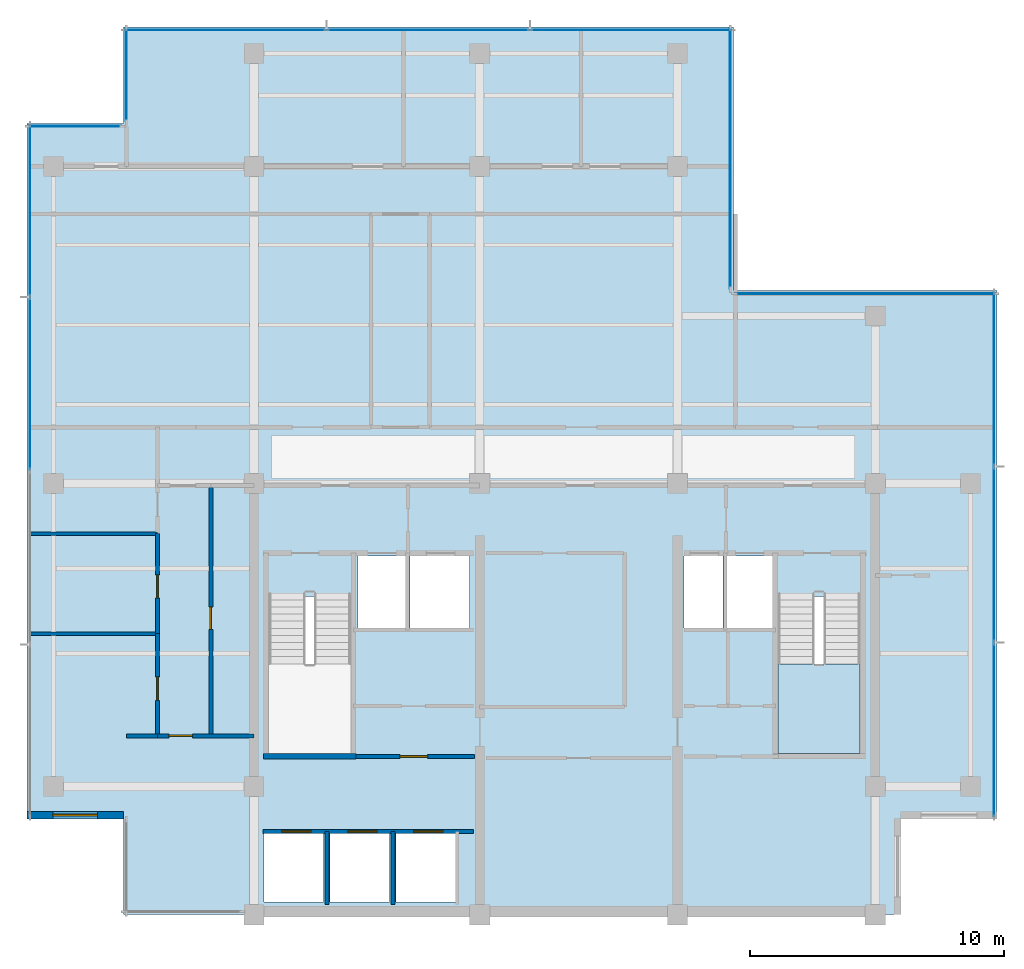
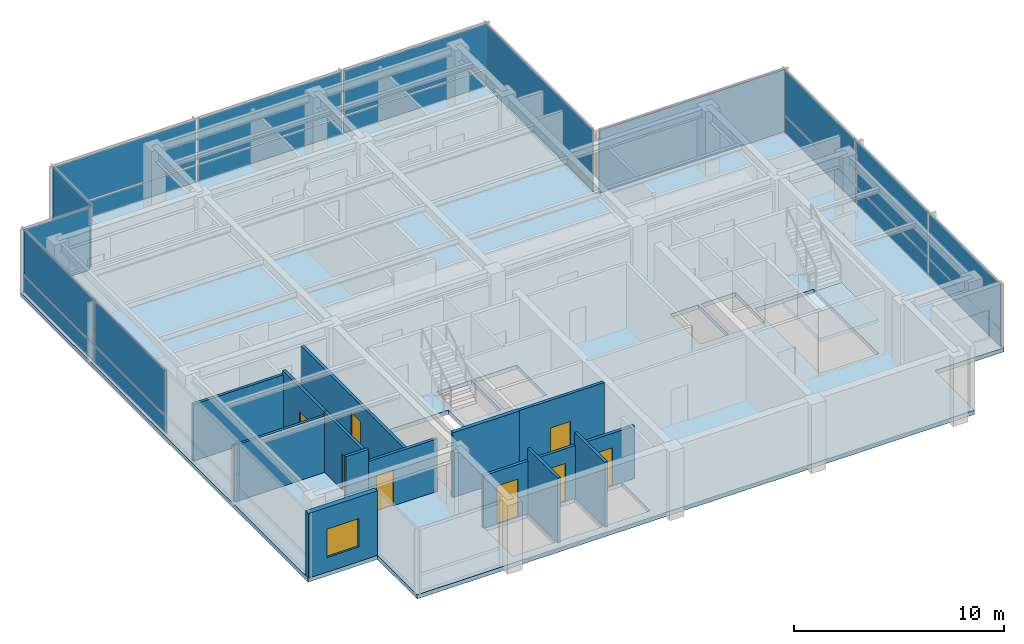
# One storey, part 5 of 11: 20 plates, 13 walls, 8 doors, 2 slabs, 1 window, 9 openings, 8 elements without a shape of their own.
"""IFC4 building model written with IfcOpenShell, lengths in metres."""

import ifcopenshell
import ifcopenshell.guid

model = None  # the IFC model being written
_history = None  # IfcOwnerHistory: only IFC2X3 demands one
_inside = {}  # id of a spatial element -> (the spatial element, [elements in it])
_under = {}  # id of a project, library or spatial element -> (it, [spatial elements below it])
_declared = {}  # id of a project -> (the project, [libraries it declares])
_typed = {}  # id of a type object -> (the type object, [elements of that type])
_made_of = {}  # id of a material, layer set ... -> (it, [elements and type objects made of it])


def new_model(schema):
    """Start an empty IFC model of exactly this schema.

    Asked for "IFC4X3", IfcOpenShell would pick the latest addendum, in which some entities
    have other attributes; the version numbers below select the first issue.
    IFC2X3 requires an IfcOwnerHistory on every rooted entity: one is made here for all.
    """
    global model, _history
    if schema == "IFC4X3":
        model = ifcopenshell.file(schema_version=(4, 3, 0, 0))
    else:
        model = ifcopenshell.file(schema=schema)
    _inside.clear()
    _under.clear()
    _declared.clear()
    _typed.clear()
    _made_of.clear()
    _history = None
    if model.schema == "IFC2X3":
        org = make("IfcOrganization", Name="unknown")
        user = make(
            "IfcPersonAndOrganization",
            ThePerson=make("IfcPerson", FamilyName="unknown"),
            TheOrganization=org,
        )
        app = make(
            "IfcApplication",
            ApplicationDeveloper=org,
            Version="unknown",
            ApplicationFullName="unknown",
            ApplicationIdentifier="unknown",
        )
        _history = make(
            "IfcOwnerHistory",
            OwningUser=user,
            OwningApplication=app,
            ChangeAction="ADDED",
            CreationDate=0,
        )
    return model


def make(cls, **values):
    """One entity of the class cls with the attributes given. An attribute that is None is left unset."""
    return model.create_entity(
        cls, **{name: value for name, value in values.items() if value is not None}
    )


def rooted(cls, **values):
    """An entity with a GlobalId (a new one), such as an element, a storey or a relation."""
    return make(cls, GlobalId=ifcopenshell.guid.new(), OwnerHistory=_history, **values)


def si_unit(unit_type, name, prefix=None):
    """IfcSIUnit, for example si_unit("LENGTHUNIT", "METRE", prefix="MILLI")."""
    return make("IfcSIUnit", UnitType=unit_type, Prefix=prefix, Name=name)


def assignment(units):
    """IfcUnitAssignment: the units of a project."""
    return None if units is None else make("IfcUnitAssignment", Units=units)


def point(xyz):
    """IfcCartesianPoint."""
    return None if xyz is None else make("IfcCartesianPoint", Coordinates=xyz)


def direction(xyz):
    """IfcDirection."""
    return None if xyz is None else make("IfcDirection", DirectionRatios=xyz)


def frame(location, z_axis=None, x_axis=None):
    """IfcAxis2Placement3D, a coordinate frame: its origin and axes. An axis left out is left unset."""
    return make(
        "IfcAxis2Placement3D",
        Location=point(location),
        Axis=direction(z_axis),
        RefDirection=direction(x_axis),
    )


def frame_2d(location, x_axis=None):
    """IfcAxis2Placement2D, a coordinate frame in the plane: its origin and x axis."""
    return make(
        "IfcAxis2Placement2D", Location=point(location), RefDirection=direction(x_axis)
    )


def origin():
    """The frame at (0, 0, 0) with its axes left unset."""
    return frame((0.0, 0.0, 0.0))


def origin_2d():
    """The frame at (0, 0) in the plane with its x axis left unset."""
    return frame_2d((0.0, 0.0))


def place(relative_to, where):
    """IfcLocalPlacement: puts the frame where relative to a parent placement (None: the world)."""
    return make(
        "IfcLocalPlacement", PlacementRelTo=relative_to, RelativePlacement=where
    )


def context(
    kind, dimensions, precision=None, world=None, true_north=None, identifier=None
):
    """IfcGeometricRepresentationContext, for example the 3D "Model" context."""
    return make(
        "IfcGeometricRepresentationContext",
        ContextIdentifier=identifier,
        ContextType=kind,
        CoordinateSpaceDimension=dimensions,
        Precision=precision,
        WorldCoordinateSystem=world,
        TrueNorth=true_north,
    )


def subcontext(parent, identifier, kind, view, scale=None):
    """IfcGeometricRepresentationSubContext, for example "Body" below "Model"."""
    return make(
        "IfcGeometricRepresentationSubContext",
        ContextIdentifier=identifier,
        ContextType=kind,
        ParentContext=parent,
        TargetScale=scale,
        TargetView=view,
    )


def project(units=None, contexts=None):
    """IfcProject with its units and contexts."""
    return rooted(
        "IfcProject",
        Name="project",
        RepresentationContexts=contexts,
        UnitsInContext=assignment(units),
    )


def spatial(cls, under=None, at=None, **own):
    """A site, building, storey or space (cls), placed at a placement, below another one or the project."""
    s = rooted(cls, ObjectPlacement=at, **own)
    if under is not None:
        _under.setdefault(under.id(), (under, []))[1].append(s)
    return s


def polyline(points):
    """IfcPolyline through the points."""
    return make("IfcPolyline", Points=[point(p) for p in points])


def profile(cls, at=None, kind="AREA", **sizes):
    """A parametric profile (cls). Its sizes go by their IFC names, for example OverallWidth=200.0."""
    return make(cls, ProfileType=kind, Position=at, **sizes)


def rectangle(**sizes):
    """IfcRectangleProfileDef."""
    return profile("IfcRectangleProfileDef", **sizes)


def outline(outer, holes=None, kind="AREA"):
    """IfcArbitraryClosedProfileDef: a profile drawn as a closed curve; with holes, ...WithVoids."""
    if holes is None:
        return make("IfcArbitraryClosedProfileDef", ProfileType=kind, OuterCurve=outer)
    return make(
        "IfcArbitraryProfileDefWithVoids",
        ProfileType=kind,
        OuterCurve=outer,
        InnerCurves=holes,
    )


def extrude(swept, where, along, depth):
    """IfcExtrudedAreaSolid: the profile swept, set in the frame where, extruded along a direction by depth."""
    return make(
        "IfcExtrudedAreaSolid",
        SweptArea=swept,
        Position=where,
        ExtrudedDirection=direction(along),
        Depth=depth,
    )


def shape(context_of_items, identifier, shape_type, items):
    """IfcShapeRepresentation: the items that make up one representation, for example the "Body"."""
    return make(
        "IfcShapeRepresentation",
        ContextOfItems=context_of_items,
        RepresentationIdentifier=identifier,
        RepresentationType=shape_type,
        Items=items,
    )


def material(Name=None, Category=None):
    """IfcMaterial."""
    return make("IfcMaterial", Name=Name, Category=Category)


def layer(
    of_material, thickness, ventilated=None, Name=None, Category=None, Priority=None
):
    """IfcMaterialLayer: one layer of a wall or slab, of a material (None: an air gap)."""
    return make(
        "IfcMaterialLayer",
        Material=of_material,
        LayerThickness=thickness,
        IsVentilated=ventilated,
        Name=Name,
        Category=Category,
        Priority=Priority,
    )


def layer_set(layers, Name=None):
    """IfcMaterialLayerSet."""
    return make("IfcMaterialLayerSet", MaterialLayers=layers, LayerSetName=Name)


def made_of(thing, what):
    """Note that an element or type object is made of a material, layer set ...; save() writes the relation."""
    if what is not None:
        _made_of.setdefault(what.id(), (what, []))[1].append(thing)
    return thing


def type_object(cls, material=None, **own):
    """A type object (cls), such as IfcWallType, which elements share."""
    return made_of(rooted(cls, **own), material)


def element(
    cls,
    number,
    at=None,
    inside=None,
    cuts=None,
    type_object=None,
    material=None,
    context=None,
    identifier="Body",
    shape_type=None,
    held_by="IfcProductDefinitionShape",
    body=None,
    shapes=None,
    **own,
):
    """One element of the class cls, such as IfcWall. Its Tag is "e" and its number.

    at: its placement. inside: the storey or other place that contains it. cuts: it is an
    opening in that element (IfcRelVoidsElement). A single representation is given by context,
    identifier, shape_type and body (its items); several are given by shapes. held_by: the class
    of the entity that holds the representations. save() writes the other relations.
    """
    e = rooted(cls, Tag="e%d" % number, ObjectPlacement=at, **own)
    if body is not None:
        shapes = [shape(context, identifier, shape_type, body)]
    if shapes is not None:
        e.Representation = make(held_by, Representations=shapes)
    if inside is not None:
        _inside.setdefault(inside.id(), (inside, []))[1].append(e)
    if cuts is not None:
        rooted(
            "IfcRelVoidsElement", RelatingBuildingElement=cuts, RelatedOpeningElement=e
        )
    if type_object is not None:
        _typed.setdefault(type_object.id(), (type_object, []))[1].append(e)
    return made_of(e, material)


def fill(opening, filler):
    """IfcRelFillsElement: the door or window that sits in an opening."""
    return rooted(
        "IfcRelFillsElement",
        RelatingOpeningElement=opening,
        RelatedBuildingElement=filler,
    )


def aggregate(whole, parts):
    """IfcRelAggregates: a whole, such as a stair, and the parts it consists of."""
    return rooted("IfcRelAggregates", RelatingObject=whole, RelatedObjects=parts)


def save(model, path):
    """Write the relations noted so far, then the file.

    IfcRelAggregates (storeys below a building ...), IfcRelContainedInSpatialStructure (elements
    in a storey), IfcRelDefinesByType, IfcRelAssociatesMaterial and IfcRelDeclares: one each for
    every whole, place, type object, material and project.
    """
    for whole, parts in _under.values():
        aggregate(whole, parts)
    for where, things in _inside.values():
        rooted(
            "IfcRelContainedInSpatialStructure",
            RelatedElements=things,
            RelatingStructure=where,
        )
    for kind, things in _typed.values():
        rooted("IfcRelDefinesByType", RelatedObjects=things, RelatingType=kind)
    for what, things in _made_of.values():
        rooted("IfcRelAssociatesMaterial", RelatedObjects=things, RelatingMaterial=what)
    for by, libraries in _declared.values():
        rooted("IfcRelDeclares", RelatingContext=by, RelatedDefinitions=libraries)
    model.write(path)


model = new_model("IFC4")

# Units and contexts
model_context = context("Model", 3, precision=1e-05, world=origin(), true_north=direction((0.0, 1.0)))
body_context = subcontext(model_context, "Body", "Model", "MODEL_VIEW")
ifc_project = project(units=[si_unit("LENGTHUNIT", "METRE"), si_unit("AREAUNIT", "SQUARE_METRE"), si_unit("VOLUMEUNIT", "CUBIC_METRE"), si_unit("PLANEANGLEUNIT", "RADIAN"), si_unit("MASSUNIT", "GRAM", prefix="KILO")], contexts=[model_context])

# Site, building, storey
site_placement = place(None, origin())
site = spatial("IfcSite", under=ifc_project, at=site_placement, CompositionType="ELEMENT")
building_placement = place(site_placement, origin())
building = spatial("IfcBuilding", under=site, at=building_placement, Name="Qalmaran Belvedere Hotel", CompositionType="ELEMENT")
storey_placement = place(building_placement, frame((0.0, 0.0, 289.89990234375)))
storey = spatial("IfcBuildingStorey", under=building, at=storey_placement, Name="L75", CompositionType="ELEMENT", Elevation=289.89990234375)

# Curtain wall, plates
ifc_material_1 = material(Name="Anodised Bronze Aluminium", Category="aluminium")
ifc_layer_1 = layer(ifc_material_1, 0.205078125, Name="Anodised Bronze Aluminium")
ifc_layer_set_1 = layer_set([ifc_layer_1], Name="Anodised Bronze Aluminium")
curtain_wall_type = type_object("IfcCurtainWallType", Name="CW7-CROWN-BELVEDERE", PredefinedType="NOTDEFINED", material=ifc_layer_set_1)
curtain_wall_1_placement = place(storey_placement, origin())
curtain_wall_1 = element("IfcCurtainWall", 1, at=curtain_wall_1_placement, inside=storey, type_object=curtain_wall_type, Name="L75 Curtain Wall CW7", PredefinedType="NOTDEFINED")
ifc_material_2 = material(Name="Anodised Bronze Spandrel Panel")
ifc_layer_2 = layer(ifc_material_2, 0.035888671875, Name="Anodised Bronze Spandrel Panel")
ifc_layer_set_2 = layer_set([ifc_layer_2], Name="Anodised Bronze Spandrel Panel")
plate_type_1 = type_object("IfcPlateType", Name="CWP-SPANDREL-36", PredefinedType="CURTAIN_PANEL", material=ifc_layer_set_2)
plate_1_placement = place(storey_placement, frame((49.47998046875, 10.785400390625, 0.070068359375), z_axis=(0.0, 0.0, 1.0), x_axis=(0.0, 1.0, 0.0)))
plate_1 = element("IfcPlate", 2, at=plate_1_placement, type_object=plate_type_1, Name="CW7 panel 1.1", PredefinedType="CURTAIN_PANEL", context=body_context, shape_type="SweptSolid", body=[
    extrude(rectangle(XDim=6.82080078125, YDim=0.035888671875, at=origin_2d()), origin(), (0.0, 0.0, 1.0), 0.94775390625),
])
plate_2_placement = place(storey_placement, frame((49.47998046875, 17.699951171875, 0.070068359375), z_axis=(0.0, 0.0, 1.0), x_axis=(0.0, 1.0, 0.0)))
plate_2 = element("IfcPlate", 3, at=plate_2_placement, type_object=plate_type_1, Name="CW7 panel 2.1", PredefinedType="CURTAIN_PANEL", context=body_context, shape_type="SweptSolid", body=[
    extrude(rectangle(XDim=6.8583984375, YDim=0.035888671875, at=origin_2d()), origin(), (0.0, 0.0, 1.0), 0.94775390625),
])
plate_3_placement = place(storey_placement, frame((49.47998046875, 24.614501953125, 0.070068359375), z_axis=(0.0, 0.0, 1.0), x_axis=(0.0, 1.0, 0.0)))
plate_3 = element("IfcPlate", 4, at=plate_3_placement, type_object=plate_type_1, Name="CW7 panel 3.1", PredefinedType="CURTAIN_PANEL", context=body_context, shape_type="SweptSolid", body=[
    extrude(rectangle(XDim=6.82080078125, YDim=0.035888671875, at=origin_2d()), origin(), (0.0, 0.0, 1.0), 0.94775390625),
])

curtain_wall_2_placement = place(storey_placement, origin())
curtain_wall_2 = element("IfcCurtainWall", 5, at=curtain_wall_2_placement, inside=storey, type_object=curtain_wall_type, Name="L75 Curtain Wall CW7", PredefinedType="NOTDEFINED")
plate_4_placement = place(storey_placement, frame((35.1728515625, 38.3798828125, 0.070068359375), z_axis=(0.0, 0.0, 1.0), x_axis=(-1.0, 0.0, 0.0)))
plate_4 = element("IfcPlate", 6, at=plate_4_placement, type_object=plate_type_1, Name="CW7 panel 1.1", PredefinedType="CURTAIN_PANEL", context=body_context, shape_type="SweptSolid", body=[
    extrude(rectangle(XDim=7.904052734375, YDim=0.035888671875, at=origin_2d()), origin(), (0.0, 0.0, 1.0), 0.94775390625),
])
plate_5_placement = place(storey_placement, frame((27.175048828125, 38.3798828125, 0.070068359375), z_axis=(0.0, 0.0, 1.0), x_axis=(-1.0, 0.0, 0.0)))
plate_5 = element("IfcPlate", 7, at=plate_5_placement, type_object=plate_type_1, Name="CW7 panel 2.1", PredefinedType="CURTAIN_PANEL", context=body_context, shape_type="SweptSolid", body=[
    extrude(rectangle(XDim=7.941650390625, YDim=0.035888671875, at=origin_2d()), origin(), (0.0, 0.0, 1.0), 0.94775390625),
])
plate_6_placement = place(storey_placement, frame((19.177001953125, 38.3798828125, 0.070068359375), z_axis=(0.0, 0.0, 1.0), x_axis=(-1.0, 0.0, 0.0)))
plate_6 = element("IfcPlate", 8, at=plate_6_placement, type_object=plate_type_1, Name="CW7 panel 3.1", PredefinedType="CURTAIN_PANEL", context=body_context, shape_type="SweptSolid", body=[
    extrude(rectangle(XDim=7.904052734375, YDim=0.035888671875, at=origin_2d()), origin(), (0.0, 0.0, 1.0), 0.94775390625),
])

curtain_wall_3_placement = place(storey_placement, origin())
curtain_wall_3 = element("IfcCurtainWall", 9, at=curtain_wall_3_placement, inside=storey, type_object=curtain_wall_type, Name="L75 Curtain Wall CW7", PredefinedType="NOTDEFINED")
plate_7_placement = place(storey_placement, frame((11.469970703125, 31.25634765625, 0.070068359375), z_axis=(0.0, 0.0, 1.0), x_axis=(0.0, -1.0, 0.0)))
plate_7 = element("IfcPlate", 10, at=plate_7_placement, type_object=plate_type_1, Name="CW7 panel 1.1", PredefinedType="CURTAIN_PANEL", context=body_context, shape_type="SweptSolid", body=[
    extrude(rectangle(XDim=6.737548828125, YDim=0.035888671875, at=origin_2d()), origin(), (0.0, 0.0, 1.0), 0.94775390625),
])
plate_8_placement = place(storey_placement, frame((11.469970703125, 24.425048828125, 0.070068359375), z_axis=(0.0, 0.0, 1.0), x_axis=(0.0, -1.0, 0.0)))
plate_8 = element("IfcPlate", 11, at=plate_8_placement, type_object=plate_type_1, Name="CW7 panel 2.1", PredefinedType="CURTAIN_PANEL", context=body_context, shape_type="SweptSolid", body=[
    extrude(rectangle(XDim=6.77490234375, YDim=0.035888671875, at=origin_2d()), origin(), (0.0, 0.0, 1.0), 0.94775390625),
])

# Plate
ifc_material_3 = material(Name="Solar-Control Double Glazing", Category="glass")
ifc_layer_3 = layer(ifc_material_3, 0.028076171875, Name="Solar-Control Double Glazing")
ifc_layer_set_3 = layer_set([ifc_layer_3], Name="Solar-Control Double Glazing")
plate_type_2 = type_object("IfcPlateType", Name="CWP-VISION-28", PredefinedType="CURTAIN_PANEL", material=ifc_layer_set_3)
plate_9_placement = place(storey_placement, frame((49.47998046875, 10.785400390625, 1.087890625), z_axis=(0.0, 0.0, 1.0), x_axis=(0.0, 1.0, 0.0)))
plate_9 = element("IfcPlate", 12, at=plate_9_placement, type_object=plate_type_2, Name="CW7 panel 1.2", PredefinedType="CURTAIN_PANEL", context=body_context, shape_type="SweptSolid", body=[
    extrude(rectangle(XDim=6.82080078125, YDim=0.028076171875, at=origin_2d()), origin(), (0.0, 0.0, 1.0), 2.602294921875),
])

plate_10_placement = place(storey_placement, frame((49.47998046875, 17.699951171875, 1.087890625), z_axis=(0.0, 0.0, 1.0), x_axis=(0.0, 1.0, 0.0)))
plate_10 = element("IfcPlate", 13, at=plate_10_placement, type_object=plate_type_2, Name="CW7 panel 2.2", PredefinedType="CURTAIN_PANEL", context=body_context, shape_type="SweptSolid", body=[
    extrude(rectangle(XDim=6.8583984375, YDim=0.028076171875, at=origin_2d()), origin(), (0.0, 0.0, 1.0), 2.602294921875),
])

plate_11_placement = place(storey_placement, frame((49.47998046875, 24.614501953125, 1.087890625), z_axis=(0.0, 0.0, 1.0), x_axis=(0.0, 1.0, 0.0)))
plate_11 = element("IfcPlate", 14, at=plate_11_placement, type_object=plate_type_2, Name="CW7 panel 3.2", PredefinedType="CURTAIN_PANEL", context=body_context, shape_type="SweptSolid", body=[
    extrude(rectangle(XDim=6.82080078125, YDim=0.028076171875, at=origin_2d()), origin(), (0.0, 0.0, 1.0), 2.602294921875),
])

aggregate(curtain_wall_1, [plate_1, plate_9, plate_2, plate_10, plate_3, plate_11])

# Curtain wall, plate
curtain_wall_4_placement = place(storey_placement, origin())
curtain_wall_4 = element("IfcCurtainWall", 15, at=curtain_wall_4_placement, inside=storey, type_object=curtain_wall_type, Name="L75 Curtain Wall CW7", PredefinedType="NOTDEFINED")
plate_12_placement = place(storey_placement, frame((44.39990234375, 27.97998046875, 0.070068359375), z_axis=(0.0, 0.0, 1.0), x_axis=(-1.0, 0.0, 0.0)))
plate_12 = element("IfcPlate", 16, at=plate_12_placement, type_object=plate_type_2, Name="CW7 panel 1.1", PredefinedType="CURTAIN_PANEL", context=body_context, shape_type="SweptSolid", body=[
    extrude(rectangle(XDim=10.25, YDim=0.028076171875, at=origin_2d()), origin(), (0.0, 0.0, 1.0), 3.6201171875),
])
aggregate(curtain_wall_4, [plate_12])

curtain_wall_5_placement = place(storey_placement, origin())
curtain_wall_5 = element("IfcCurtainWall", 17, at=curtain_wall_5_placement, inside=storey, type_object=curtain_wall_type, Name="L75 Curtain Wall CW7", PredefinedType="NOTDEFINED")
plate_13_placement = place(storey_placement, frame((39.080078125, 33.300048828125, 0.070068359375), z_axis=(0.0, 0.0, 1.0), x_axis=(0.0, 1.0, 0.0)))
plate_13 = element("IfcPlate", 18, at=plate_13_placement, type_object=plate_type_2, Name="CW7 panel 1.1", PredefinedType="CURTAIN_PANEL", context=body_context, shape_type="SweptSolid", body=[
    extrude(rectangle(XDim=10.25, YDim=0.028076171875, at=origin_2d()), origin(), (0.0, 0.0, 1.0), 3.6201171875),
])
aggregate(curtain_wall_5, [plate_13])

# Plate
plate_14_placement = place(storey_placement, frame((35.1728515625, 38.3798828125, 1.087890625), z_axis=(0.0, 0.0, 1.0), x_axis=(-1.0, 0.0, 0.0)))
plate_14 = element("IfcPlate", 19, at=plate_14_placement, type_object=plate_type_2, Name="CW7 panel 1.2", PredefinedType="CURTAIN_PANEL", context=body_context, shape_type="SweptSolid", body=[
    extrude(rectangle(XDim=7.904052734375, YDim=0.028076171875, at=origin_2d()), origin(), (0.0, 0.0, 1.0), 2.602294921875),
])

plate_15_placement = place(storey_placement, frame((27.175048828125, 38.3798828125, 1.087890625), z_axis=(0.0, 0.0, 1.0), x_axis=(-1.0, 0.0, 0.0)))
plate_15 = element("IfcPlate", 20, at=plate_15_placement, type_object=plate_type_2, Name="CW7 panel 2.2", PredefinedType="CURTAIN_PANEL", context=body_context, shape_type="SweptSolid", body=[
    extrude(rectangle(XDim=7.941650390625, YDim=0.028076171875, at=origin_2d()), origin(), (0.0, 0.0, 1.0), 2.602294921875),
])

plate_16_placement = place(storey_placement, frame((19.177001953125, 38.3798828125, 1.087890625), z_axis=(0.0, 0.0, 1.0), x_axis=(-1.0, 0.0, 0.0)))
plate_16 = element("IfcPlate", 21, at=plate_16_placement, type_object=plate_type_2, Name="CW7 panel 3.2", PredefinedType="CURTAIN_PANEL", context=body_context, shape_type="SweptSolid", body=[
    extrude(rectangle(XDim=7.904052734375, YDim=0.028076171875, at=origin_2d()), origin(), (0.0, 0.0, 1.0), 2.602294921875),
])

aggregate(curtain_wall_2, [plate_4, plate_14, plate_5, plate_15, plate_6, plate_16])

# Curtain wall, plate
curtain_wall_6_placement = place(storey_placement, origin())
curtain_wall_6 = element("IfcCurtainWall", 22, at=curtain_wall_6_placement, inside=storey, type_object=curtain_wall_type, Name="L75 Curtain Wall CW7", PredefinedType="NOTDEFINED")
plate_17_placement = place(storey_placement, frame((15.27001953125, 36.60009765625, 0.070068359375), z_axis=(0.0, 0.0, 1.0), x_axis=(0.0, -1.0, 0.0)))
plate_17 = element("IfcPlate", 23, at=plate_17_placement, type_object=plate_type_2, Name="CW7 panel 1.1", PredefinedType="CURTAIN_PANEL", context=body_context, shape_type="SweptSolid", body=[
    extrude(rectangle(XDim=3.64990234375, YDim=0.028076171875, at=origin_2d()), origin(), (0.0, 0.0, 1.0), 3.6201171875),
])
aggregate(curtain_wall_6, [plate_17])

curtain_wall_7_placement = place(storey_placement, origin())
curtain_wall_7 = element("IfcCurtainWall", 24, at=curtain_wall_7_placement, inside=storey, type_object=curtain_wall_type, Name="L75 Curtain Wall CW7", PredefinedType="NOTDEFINED")
plate_18_placement = place(storey_placement, frame((13.25, 34.580078125, 0.070068359375), z_axis=(0.0, 0.0, 1.0), x_axis=(-1.0, 0.0, 0.0)))
plate_18 = element("IfcPlate", 25, at=plate_18_placement, type_object=plate_type_2, Name="CW7 panel 1.1", PredefinedType="CURTAIN_PANEL", context=body_context, shape_type="SweptSolid", body=[
    extrude(rectangle(XDim=3.64990234375, YDim=0.028076171875, at=origin_2d()), origin(), (0.0, 0.0, 1.0), 3.6201171875),
])
aggregate(curtain_wall_7, [plate_18])

# Plate
plate_19_placement = place(storey_placement, frame((11.469970703125, 31.25634765625, 1.087890625), z_axis=(0.0, 0.0, 1.0), x_axis=(0.0, -1.0, 0.0)))
plate_19 = element("IfcPlate", 26, at=plate_19_placement, type_object=plate_type_2, Name="CW7 panel 1.2", PredefinedType="CURTAIN_PANEL", context=body_context, shape_type="SweptSolid", body=[
    extrude(rectangle(XDim=6.737548828125, YDim=0.028076171875, at=origin_2d()), origin(), (0.0, 0.0, 1.0), 2.602294921875),
])

plate_20_placement = place(storey_placement, frame((11.469970703125, 24.425048828125, 1.087890625), z_axis=(0.0, 0.0, 1.0), x_axis=(0.0, -1.0, 0.0)))
plate_20 = element("IfcPlate", 27, at=plate_20_placement, type_object=plate_type_2, Name="CW7 panel 2.2", PredefinedType="CURTAIN_PANEL", context=body_context, shape_type="SweptSolid", body=[
    extrude(rectangle(XDim=6.77490234375, YDim=0.028076171875, at=origin_2d()), origin(), (0.0, 0.0, 1.0), 2.602294921875),
])

aggregate(curtain_wall_3, [plate_7, plate_19, plate_8, plate_20])

# Stair, slab
ifc_material_4 = material(Name="Concrete C40/50", Category="concrete")
stair_type = type_object("IfcStairType", Name="STR-ST-2-1450-R1818", PredefinedType="HALF_TURN_STAIR", material=ifc_material_4)
stair_placement = place(storey_placement, origin())
stair = element("IfcStair", 28, at=stair_placement, inside=storey, type_object=stair_type, Name="L75 East Core Exit Stair ST-2", PredefinedType="HALF_TURN_STAIR")
ifc_layer_4 = layer(ifc_material_4, 0.199951171875, Name="Concrete C40/50")
ifc_layer_set_4 = layer_set([ifc_layer_4], Name="Concrete C40/50")
slab_type_1 = type_object("IfcSlabType", Name="SLB-STAIR-LANDING-200", PredefinedType="LANDING", material=ifc_layer_set_4)
slab_1_placement = place(storey_placement, frame((0.0, 0.0, 1.800048828125)))
slab_1 = element("IfcSlab", 29, at=slab_1_placement, type_object=slab_type_1, Name="ST-2 landing 1", PredefinedType="LANDING", context=body_context, shape_type="SweptSolid", body=[
    extrude(outline(polyline([(40.9599609375, 13.389892578125), (40.9599609375, 9.85009765625), (44.199951171875, 9.85009765625), (44.199951171875, 13.389892578125), (40.9599609375, 13.389892578125)])), origin(), (0.0, 0.0, 1.0), 0.199951171875),
])
aggregate(stair, [slab_1])

# Slab
ifc_layer_5 = layer(ifc_material_4, 0.239990234375, Name="Concrete C40/50")
ifc_layer_set_5 = layer_set([ifc_layer_5], Name="Concrete C40/50")
slab_type_2 = type_object("IfcSlabType", Name="SLB-Z4-240", PredefinedType="FLOOR", material=ifc_layer_set_5)
slab_2_placement = place(storey_placement, frame((0.0, 0.0, -0.239990234375)))
element("IfcSlab", 30, at=slab_2_placement, inside=storey, type_object=slab_type_2, Name="L75 Structural Floor Slab", PredefinedType="FLOOR", context=body_context, shape_type="SweptSolid", body=[
    extrude(outline(polyline([(15.14990234375, 3.5), (45.800048828125, 3.5), (45.800048828125, 7.300048828125), (49.60009765625, 7.300048828125), (49.60009765625, 28.10009765625), (39.199951171875, 28.10009765625), (39.199951171875, 38.5), (15.14990234375, 38.5), (15.14990234375, 34.699951171875), (11.35009765625, 34.699951171875), (11.35009765625, 7.300048828125), (15.14990234375, 7.300048828125), (15.14990234375, 3.5)]), holes=[polyline([(20.8798828125, 9.85009765625), (24.1201171875, 9.85009765625), (24.1201171875, 16.0400390625), (20.8798828125, 16.0400390625), (20.8798828125, 9.85009765625)]), polyline([(40.9599609375, 9.85009765625), (44.199951171875, 9.85009765625), (44.199951171875, 16.0400390625), (40.9599609375, 16.0400390625), (40.9599609375, 9.85009765625)]), polyline([(20.699951171875, 4.0), (23.050048828125, 4.0), (23.050048828125, 6.699951171875), (20.699951171875, 6.699951171875), (20.699951171875, 4.0)]), polyline([(23.300048828125, 4.0), (25.64990234375, 4.0), (25.64990234375, 6.699951171875), (23.300048828125, 6.699951171875), (23.300048828125, 4.0)]), polyline([(25.89990234375, 4.0), (28.25, 4.0), (28.25, 6.699951171875), (25.89990234375, 6.699951171875), (25.89990234375, 4.0)]), polyline([(24.39990234375, 14.800048828125), (26.300048828125, 14.800048828125), (26.300048828125, 17.64990234375), (24.39990234375, 17.64990234375), (24.39990234375, 14.800048828125)]), polyline([(38.949951171875, 14.800048828125), (40.820068359375, 14.800048828125), (40.820068359375, 17.64990234375), (38.949951171875, 17.64990234375), (38.949951171875, 14.800048828125)]), polyline([(26.449951171875, 14.800048828125), (28.800048828125, 14.800048828125), (28.800048828125, 17.64990234375), (26.449951171875, 17.64990234375), (26.449951171875, 14.800048828125)]), polyline([(37.25, 14.800048828125), (38.800048828125, 14.800048828125), (38.800048828125, 17.64990234375), (37.25, 17.64990234375), (37.25, 14.800048828125)])]), origin(), (0.0, 0.0, 1.0), 0.239990234375),
])

# Wall, opening, window
ifc_material_5 = material(Name="Anodised Bronze Cladding")
ifc_layer_6 = layer(ifc_material_5, 0.280029296875, Name="Anodised Bronze Cladding")
ifc_layer_set_6 = layer_set([ifc_layer_6], Name="Anodised Bronze Cladding")
wall_type_1 = type_object("IfcWallType", Name="WL-EXT-BRNZ-280", PredefinedType="SOLIDWALL", material=ifc_layer_set_6)
wall_1_placement = place(storey_placement, frame((11.35009765625, 7.419921875, 0.0), z_axis=(0.0, 0.0, 1.0), x_axis=(1.0, 0.0, 0.0)))
wall_1 = element("IfcWall", 31, at=wall_1_placement, inside=storey, type_object=wall_type_1, Name="L75 Corner Notch Wall 10", PredefinedType="SOLIDWALL", context=body_context, shape_type="SweptSolid", body=[
    extrude(rectangle(XDim=3.7998046875, YDim=0.280029296875, at=frame_2d((1.89990234375, 0.0))), origin(), (0.0, 0.0, 1.0), 3.760009765625),
])
opening_1_placement = place(wall_1_placement, frame((1.02490234375, 0.0, 0.85009765625)))
opening_1 = element("IfcOpeningElement", 32, at=opening_1_placement, cuts=wall_1, Name="Opening W-N17", PredefinedType="OPENING", context=body_context, shape_type="SweptSolid", body=[
    extrude(rectangle(XDim=1.75, YDim=1.64990234375, at=frame_2d((0.875, 0.824951171875))), frame((0.0, 0.14990234375, 0.0), z_axis=(0.0, -1.0, 0.0), x_axis=(1.0, 0.0, 0.0)), (0.0, 0.0, 1.0), 0.300048828125),
])
window_type = type_object("IfcWindowType", Name="WN-NTC-1750X1650", PartitioningType="SINGLE_PANEL", PredefinedType="WINDOW", material=ifc_material_3)
window_placement = place(opening_1_placement, origin())
window = element("IfcWindow", 33, at=window_placement, inside=storey, type_object=window_type, Name="L75 Corner Notch Window 10", OverallHeight=1.64990234375, OverallWidth=1.75, PartitioningType="SINGLE_PANEL", PredefinedType="WINDOW", context=body_context, shape_type="SweptSolid", body=[
    extrude(rectangle(XDim=1.75, YDim=1.64990234375, at=frame_2d((0.875, 0.824951171875))), frame((0.0, 0.030029296875, 0.0), z_axis=(0.0, -1.0, 0.0), x_axis=(1.0, 0.0, 0.0)), (0.0, 0.0, 1.0), 0.06005859375),
])
fill(opening_1, window)

# Walls
ifc_material_6 = material(Name="Gypsum Stud Partition")
ifc_layer_7 = layer(ifc_material_6, 0.139892578125, Name="Gypsum Stud Partition")
ifc_layer_set_7 = layer_set([ifc_layer_7], Name="Gypsum Stud Partition")
wall_type_2 = type_object("IfcWallType", Name="WL-INT-140-NR", PredefinedType="PARTITIONING", material=ifc_layer_set_7)
for number, where, z_axis, x_axis, name in (
    (34, (11.469970703125, 14.580078125, 0.0), (0.0, 0.0, 1.0), (1.0, 0.0, 0.0), "L75 Partition WL-L75-WC1"),
    (35, (11.469970703125, 18.52001953125, 0.0), (0.0, 0.0, 1.0), (1.0, 0.0, 0.0), "L75 Partition WL-L75-WC2"),
):
    element("IfcWall", number, at=place(storey_placement, frame(where, z_axis=z_axis, x_axis=x_axis)), inside=storey, type_object=wall_type_2, Name=name, PredefinedType="PARTITIONING", context=body_context, shape_type="SweptSolid", body=[
        extrude(rectangle(XDim=5.030029296875, YDim=0.139892578125, at=frame_2d((2.51513671875, 0.0))), origin(), (0.0, 0.0, 1.0), 3.281982421875),
    ])
ifc_layer_8 = layer(ifc_material_6, 0.14990234375, Name="Gypsum Stud Partition")
ifc_layer_set_8 = layer_set([ifc_layer_8], Name="Gypsum Stud Partition")
wall_type_3 = type_object("IfcWallType", Name="WL-INT-150-EI120", PredefinedType="PARTITIONING", material=ifc_layer_set_8)
for number, where, z_axis, x_axis, name in (
    (36, (23.179931640625, 3.89990234375, 0.0), (0.0, 0.0, 1.0), (0.0, 1.0, 0.0), "L75 Partition WL-POM1-L75"),
    (37, (25.780029296875, 3.89990234375, 0.0), (0.0, 0.0, 1.0), (0.0, 1.0, 0.0), "L75 Partition WL-POM2-L75"),
):
    element("IfcWall", number, at=place(storey_placement, frame(where, z_axis=z_axis, x_axis=x_axis)), inside=storey, type_object=wall_type_3, Name=name, PredefinedType="PARTITIONING", context=body_context, shape_type="SweptSolid", body=[
        extrude(rectangle(XDim=2.880126953125, YDim=0.14990234375, at=frame_2d((1.43994140625, 0.0))), origin(), (0.0, 0.0, 1.0), 3.760009765625),
    ])

# Wall, openings, doors
ifc_layer_9 = layer(ifc_material_6, 0.159912109375, Name="Gypsum Stud Partition")
ifc_layer_set_9 = layer_set([ifc_layer_9], Name="Gypsum Stud Partition")
wall_type_4 = type_object("IfcWallType", Name="WL-INT-160-EI120", PredefinedType="PARTITIONING", material=ifc_layer_set_9)
wall_2_placement = place(storey_placement, frame((20.64990234375, 6.780029296875, 0.0), z_axis=(0.0, 0.0, 1.0), x_axis=(1.0, 0.0, 0.0)))
wall_2 = element("IfcWall", 38, at=wall_2_placement, inside=storey, type_object=wall_type_4, Name="L75 Partition WL-POS-L75", PredefinedType="PARTITIONING", context=body_context, shape_type="SweptSolid", body=[
    extrude(rectangle(XDim=8.300048828125, YDim=0.159912109375, at=frame_2d((4.14990234375, 0.0))), origin(), (0.0, 0.0, 1.0), 3.050048828125),
])
opening_2_placement = place(wall_2_placement, frame((0.75, 0.0, 0.0)))
opening_2 = element("IfcOpeningElement", 39, at=opening_2_placement, cuts=wall_2, Name="Opening LD-PO", PredefinedType="OPENING", context=body_context, shape_type="SweptSolid", body=[
    extrude(rectangle(XDim=1.14990234375, YDim=2.199951171875, at=frame_2d((0.574951171875, 1.10009765625))), frame((0.0, 0.08984375, 0.0), z_axis=(0.0, -1.0, 0.0), x_axis=(1.0, 0.0, 0.0)), (0.0, 0.0, 1.0), 0.179931640625),
])
opening_3_placement = place(wall_2_placement, frame((3.35009765625, 0.0, 0.0)))
opening_3 = element("IfcOpeningElement", 40, at=opening_3_placement, cuts=wall_2, Name="Opening LD-PO", PredefinedType="OPENING", context=body_context, shape_type="SweptSolid", body=[
    extrude(rectangle(XDim=1.14990234375, YDim=2.199951171875, at=frame_2d((0.574951171875, 1.10009765625))), frame((0.0, 0.08984375, 0.0), z_axis=(0.0, -1.0, 0.0), x_axis=(1.0, 0.0, 0.0)), (0.0, 0.0, 1.0), 0.179931640625),
])
opening_4_placement = place(wall_2_placement, frame((5.949951171875, 0.0, 0.0)))
opening_4 = element("IfcOpeningElement", 41, at=opening_4_placement, cuts=wall_2, Name="Opening LD-PO", PredefinedType="OPENING", context=body_context, shape_type="SweptSolid", body=[
    extrude(rectangle(XDim=1.14990234375, YDim=2.199951171875, at=frame_2d((0.574951171875, 1.10009765625))), frame((0.0, 0.08984375, 0.0), z_axis=(0.0, -1.0, 0.0), x_axis=(1.0, 0.0, 0.0)), (0.0, 0.0, 1.0), 0.179931640625),
])
door_type_1 = type_object("IfcDoorType", Name="DR-LIFT-PO-1150X2200", OperationType="DOUBLE_DOOR_SLIDING", PredefinedType="DOOR", material=ifc_material_1)
door_1_placement = place(opening_2_placement, origin())
door_1 = element("IfcDoor", 42, at=door_1_placement, inside=storey, type_object=door_type_1, Name="L75 PO1 Shuttle Landing Door", OperationType="DOUBLE_DOOR_SLIDING", OverallHeight=2.199951171875, OverallWidth=1.14990234375, PredefinedType="DOOR", context=body_context, shape_type="SweptSolid", body=[
    extrude(rectangle(XDim=1.14990234375, YDim=2.199951171875, at=frame_2d((0.574951171875, 1.10009765625))), frame((0.0, 0.02490234375, 0.0), z_axis=(0.0, -1.0, 0.0), x_axis=(1.0, 0.0, 0.0)), (0.0, 0.0, 1.0), 0.050048828125),
])
fill(opening_2, door_1)
door_2_placement = place(opening_3_placement, origin())
door_2 = element("IfcDoor", 43, at=door_2_placement, inside=storey, type_object=door_type_1, Name="L75 PO2 Shuttle Landing Door", OperationType="DOUBLE_DOOR_SLIDING", OverallHeight=2.199951171875, OverallWidth=1.14990234375, PredefinedType="DOOR", context=body_context, shape_type="SweptSolid", body=[
    extrude(rectangle(XDim=1.14990234375, YDim=2.199951171875, at=frame_2d((0.574951171875, 1.10009765625))), frame((0.0, 0.02490234375, 0.0), z_axis=(0.0, -1.0, 0.0), x_axis=(1.0, 0.0, 0.0)), (0.0, 0.0, 1.0), 0.050048828125),
])
fill(opening_3, door_2)
door_3_placement = place(opening_4_placement, origin())
door_3 = element("IfcDoor", 44, at=door_3_placement, inside=storey, type_object=door_type_1, Name="L75 PO3 Shuttle Landing Door", OperationType="DOUBLE_DOOR_SLIDING", OverallHeight=2.199951171875, OverallWidth=1.14990234375, PredefinedType="DOOR", context=body_context, shape_type="SweptSolid", body=[
    extrude(rectangle(XDim=1.14990234375, YDim=2.199951171875, at=frame_2d((0.574951171875, 1.10009765625))), frame((0.0, 0.02490234375, 0.0), z_axis=(0.0, -1.0, 0.0), x_axis=(1.0, 0.0, 0.0)), (0.0, 0.0, 1.0), 0.050048828125),
])
fill(opening_4, door_3)

# Wall, opening, door
wall_3_placement = place(storey_placement, frame((24.199951171875, 9.739990234375, 0.0), z_axis=(0.0, 0.0, 1.0), x_axis=(1.0, 0.0, 0.0)))
wall_3 = element("IfcWall", 45, at=wall_3_placement, inside=storey, type_object=wall_type_4, Name="L75 Partition WL-PON-L75", PredefinedType="PARTITIONING", context=body_context, shape_type="SweptSolid", body=[
    extrude(rectangle(XDim=4.800048828125, YDim=0.159912109375, at=frame_2d((2.39990234375, 0.0))), origin(), (0.0, 0.0, 1.0), 3.760009765625),
])
opening_5_placement = place(wall_3_placement, frame((1.85009765625, 0.0, 0.0)))
opening_5 = element("IfcOpeningElement", 46, at=opening_5_placement, cuts=wall_3, Name="Opening FD90", PredefinedType="OPENING", context=body_context, shape_type="SweptSolid", body=[
    extrude(rectangle(XDim=1.10009765625, YDim=2.14990234375, at=frame_2d((0.550048828125, 1.074951171875))), frame((0.0, 0.08984375, 0.0), z_axis=(0.0, -1.0, 0.0), x_axis=(1.0, 0.0, 0.0)), (0.0, 0.0, 1.0), 0.179931640625),
])
ifc_material_7 = material(Name="Steel S355JR", Category="steel")
door_type_2 = type_object("IfcDoorType", Name="DR-FD90-1100X2150", OperationType="NOTDEFINED", PredefinedType="DOOR", material=ifc_material_7)
door_4_placement = place(opening_5_placement, origin())
door_4 = element("IfcDoor", 47, at=door_4_placement, inside=storey, type_object=door_type_2, Name="L75 Shuttle Lobby Passage Door", OperationType="SINGLE_SWING_RIGHT", OverallHeight=2.14990234375, OverallWidth=1.10009765625, PredefinedType="DOOR", context=body_context, shape_type="SweptSolid", body=[
    extrude(rectangle(XDim=1.10009765625, YDim=2.14990234375, at=frame_2d((0.550048828125, 1.074951171875))), frame((0.0, 0.02490234375, 0.0), z_axis=(0.0, -1.0, 0.0), x_axis=(1.0, 0.0, 0.0)), (0.0, 0.0, 1.0), 0.050048828125),
])
fill(opening_5, door_4)

# Wall
ifc_layer_10 = layer(ifc_material_6, 0.159912109375, Name="Gypsum Stud Partition")
ifc_layer_set_10 = layer_set([ifc_layer_10], Name="Gypsum Stud Partition")
wall_type_5 = type_object("IfcWallType", Name="WL-INT-160-EI60", PredefinedType="PARTITIONING", material=ifc_layer_set_10)
wall_4_placement = place(storey_placement, frame((15.27001953125, 10.550048828125, 0.0), z_axis=(0.0, 0.0, 1.0), x_axis=(1.0, 0.0, 0.0)))
element("IfcWall", 48, at=wall_4_placement, inside=storey, type_object=wall_type_5, Name="L75 Partition WL-L75-WCS1", PredefinedType="PARTITIONING", context=body_context, shape_type="SweptSolid", body=[
    extrude(rectangle(XDim=1.22998046875, YDim=0.159912109375, at=frame_2d((0.614990234375, 0.0))), origin(), (0.0, 0.0, 1.0), 3.760009765625),
])

# Wall, opening, door
wall_5_placement = place(storey_placement, frame((16.5, 10.550048828125, 0.0), z_axis=(0.0, 0.0, 1.0), x_axis=(1.0, 0.0, 0.0)))
wall_5 = element("IfcWall", 49, at=wall_5_placement, inside=storey, type_object=wall_type_5, Name="L75 Partition WL-L75-WCS2", PredefinedType="PARTITIONING", context=body_context, shape_type="SweptSolid", body=[
    extrude(rectangle(XDim=3.800048828125, YDim=0.159912109375, at=frame_2d((1.89990234375, 0.0))), origin(), (0.0, 0.0, 1.0), 3.050048828125),
])
opening_6_placement = place(wall_5_placement, frame((1.369873046875, 0.0, 0.0), z_axis=(0.0, 0.0, 1.0), x_axis=(-1.0, 0.0, 0.0)))
opening_6 = element("IfcOpeningElement", 50, at=opening_6_placement, cuts=wall_5, Name="Opening FD60S1", PredefinedType="OPENING", context=body_context, shape_type="SweptSolid", body=[
    extrude(rectangle(XDim=0.919921875, YDim=2.080078125, at=frame_2d((0.4599609375, 1.0400390625))), frame((0.0, 0.08984375, 0.0), z_axis=(0.0, -1.0, 0.0), x_axis=(1.0, 0.0, 0.0)), (0.0, 0.0, 1.0), 0.179931640625),
])
ifc_material_8 = material(Name="Engineered Oak Veneer")
door_type_3 = type_object("IfcDoorType", Name="DR-FD60S-920X2080", OperationType="NOTDEFINED", PredefinedType="DOOR", material=ifc_material_8)
door_5_placement = place(opening_6_placement, origin())
door_5 = element("IfcDoor", 51, at=door_5_placement, inside=storey, type_object=door_type_3, Name="L75 Reading Lounge Door", OperationType="SINGLE_SWING_RIGHT", OverallHeight=2.080078125, OverallWidth=0.919921875, PredefinedType="DOOR", context=body_context, shape_type="SweptSolid", body=[
    extrude(rectangle(XDim=0.919921875, YDim=2.080078125, at=frame_2d((0.4599609375, 1.0400390625))), frame((0.0, 0.02490234375, 0.0), z_axis=(0.0, -1.0, 0.0), x_axis=(1.0, 0.0, 0.0)), (0.0, 0.0, 1.0), 0.050048828125),
])
fill(opening_6, door_5)

wall_6_placement = place(storey_placement, frame((16.5, 10.550048828125, 0.0), z_axis=(0.0, 0.0, 1.0), x_axis=(0.0, 1.0, 0.0)))
wall_6 = element("IfcWall", 52, at=wall_6_placement, inside=storey, type_object=wall_type_5, Name="L75 Partition WL-L75-WCC1", PredefinedType="PARTITIONING", context=body_context, shape_type="SweptSolid", body=[
    extrude(rectangle(XDim=4.030029296875, YDim=0.159912109375, at=frame_2d((2.01513671875, 0.0))), origin(), (0.0, 0.0, 1.0), 3.498046875),
])
opening_7_placement = place(wall_6_placement, frame((1.39990234375, 0.0, 0.0)))
opening_7 = element("IfcOpeningElement", 53, at=opening_7_placement, cuts=wall_6, Name="Opening FD60S1", PredefinedType="OPENING", context=body_context, shape_type="SweptSolid", body=[
    extrude(rectangle(XDim=0.919921875, YDim=2.080078125, at=frame_2d((0.4599609375, 1.0400390625))), frame((0.0, 0.08984375, 0.0), z_axis=(0.0, -1.0, 0.0), x_axis=(1.0, 0.0, 0.0)), (0.0, 0.0, 1.0), 0.179931640625),
])
door_6_placement = place(opening_7_placement, origin())
door_6 = element("IfcDoor", 54, at=door_6_placement, inside=storey, type_object=door_type_3, Name="L75 Male WC Door", OperationType="SINGLE_SWING_LEFT", OverallHeight=2.080078125, OverallWidth=0.919921875, PredefinedType="DOOR", context=body_context, shape_type="SweptSolid", body=[
    extrude(rectangle(XDim=0.919921875, YDim=2.080078125, at=frame_2d((0.4599609375, 1.0400390625))), frame((0.0, 0.02490234375, 0.0), z_axis=(0.0, -1.0, 0.0), x_axis=(1.0, 0.0, 0.0)), (0.0, 0.0, 1.0), 0.050048828125),
])
fill(opening_7, door_6)

wall_7_placement = place(storey_placement, frame((16.5, 14.580078125, 0.0), z_axis=(0.0, 0.0, 1.0), x_axis=(0.0, 1.0, 0.0)))
wall_7 = element("IfcWall", 55, at=wall_7_placement, inside=storey, type_object=wall_type_5, Name="L75 Partition WL-L75-WCC2", PredefinedType="PARTITIONING", context=body_context, shape_type="SweptSolid", body=[
    extrude(rectangle(XDim=3.93994140625, YDim=0.159912109375, at=frame_2d((1.969970703125, 0.0))), origin(), (0.0, 0.0, 1.0), 3.498046875),
])
opening_8_placement = place(wall_7_placement, frame((1.39990234375, 0.0, 0.0)))
opening_8 = element("IfcOpeningElement", 56, at=opening_8_placement, cuts=wall_7, Name="Opening FD60S1", PredefinedType="OPENING", context=body_context, shape_type="SweptSolid", body=[
    extrude(rectangle(XDim=0.919921875, YDim=2.080078125, at=frame_2d((0.4599609375, 1.0400390625))), frame((0.0, 0.08984375, 0.0), z_axis=(0.0, -1.0, 0.0), x_axis=(1.0, 0.0, 0.0)), (0.0, 0.0, 1.0), 0.179931640625),
])
door_7_placement = place(opening_8_placement, origin())
door_7 = element("IfcDoor", 57, at=door_7_placement, inside=storey, type_object=door_type_3, Name="L75 Female WC Door", OperationType="SINGLE_SWING_RIGHT", OverallHeight=2.080078125, OverallWidth=0.919921875, PredefinedType="DOOR", context=body_context, shape_type="SweptSolid", body=[
    extrude(rectangle(XDim=0.919921875, YDim=2.080078125, at=frame_2d((0.4599609375, 1.0400390625))), frame((0.0, 0.02490234375, 0.0), z_axis=(0.0, -1.0, 0.0), x_axis=(1.0, 0.0, 0.0)), (0.0, 0.0, 1.0), 0.050048828125),
])
fill(opening_8, door_7)

wall_8_placement = place(storey_placement, frame((18.60009765625, 10.550048828125, 0.0), z_axis=(0.0, 0.0, 1.0), x_axis=(0.0, 1.0, 0.0)))
wall_8 = element("IfcWall", 58, at=wall_8_placement, inside=storey, type_object=wall_type_5, Name="L75 Partition WL-L75-WCCE", PredefinedType="PARTITIONING", context=body_context, shape_type="SweptSolid", body=[
    extrude(rectangle(XDim=9.869873046875, YDim=0.159912109375, at=frame_2d((4.93505859375, 0.0))), origin(), (0.0, 0.0, 1.0), 3.050048828125),
])
opening_9_placement = place(wall_8_placement, frame((5.079833984375, 0.0, 0.0), z_axis=(0.0, 0.0, 1.0), x_axis=(-1.0, 0.0, 0.0)))
opening_9 = element("IfcOpeningElement", 59, at=opening_9_placement, cuts=wall_8, Name="Opening FD60B", PredefinedType="OPENING", context=body_context, shape_type="SweptSolid", body=[
    extrude(rectangle(XDim=0.8798828125, YDim=2.080078125, at=frame_2d((0.43994140625, 1.0400390625))), frame((0.0, 0.08984375, 0.0), z_axis=(0.0, -1.0, 0.0), x_axis=(1.0, 0.0, 0.0)), (0.0, 0.0, 1.0), 0.179931640625),
])
door_type_4 = type_object("IfcDoorType", Name="DR-FD60B-880X2080", OperationType="NOTDEFINED", PredefinedType="DOOR", material=ifc_material_7)
door_8_placement = place(opening_9_placement, origin())
door_8 = element("IfcDoor", 60, at=door_8_placement, inside=storey, type_object=door_type_4, Name="L75 Cloakroom Store Door", OperationType="SINGLE_SWING_RIGHT", OverallHeight=2.080078125, OverallWidth=0.8798828125, PredefinedType="DOOR", context=body_context, shape_type="SweptSolid", body=[
    extrude(rectangle(XDim=0.8798828125, YDim=2.080078125, at=frame_2d((0.43994140625, 1.0400390625))), frame((0.0, 0.02490234375, 0.0), z_axis=(0.0, -1.0, 0.0), x_axis=(1.0, 0.0, 0.0)), (0.0, 0.0, 1.0), 0.050048828125),
])
fill(opening_9, door_8)

# Wall
ifc_material_9 = material(Name="Concrete C50/60", Category="concrete")
ifc_layer_11 = layer(ifc_material_9, 0.2099609375, Name="Concrete C50/60")
ifc_layer_set_11 = layer_set([ifc_layer_11], Name="Concrete C50/60")
wall_type_6 = type_object("IfcWallType", Name="WL-STAIR-210-C50", PredefinedType="SHEAR", material=ifc_layer_set_11)
wall_9_placement = place(storey_placement, frame((20.669921875, 9.7451171875, 0.0), z_axis=(0.0, 0.0, 1.0), x_axis=(1.0, 0.0, 0.0)))
element("IfcWall", 61, at=wall_9_placement, inside=storey, type_object=wall_type_6, Name="L75 Stair ST-1 South Bearing Wall", PredefinedType="SHEAR", context=body_context, shape_type="SweptSolid", body=[
    extrude(rectangle(XDim=3.66015625, YDim=0.2099609375, at=frame_2d((1.830078125, 0.0))), origin(), (0.0, 0.0, 1.0), 3.760009765625),
])

save(model, "model.ifc")
